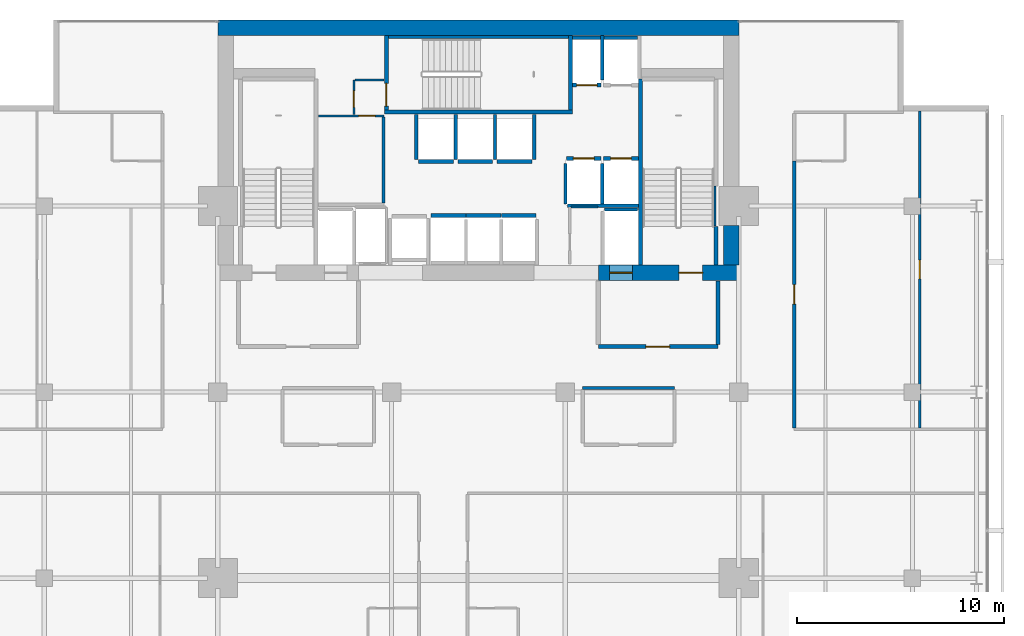
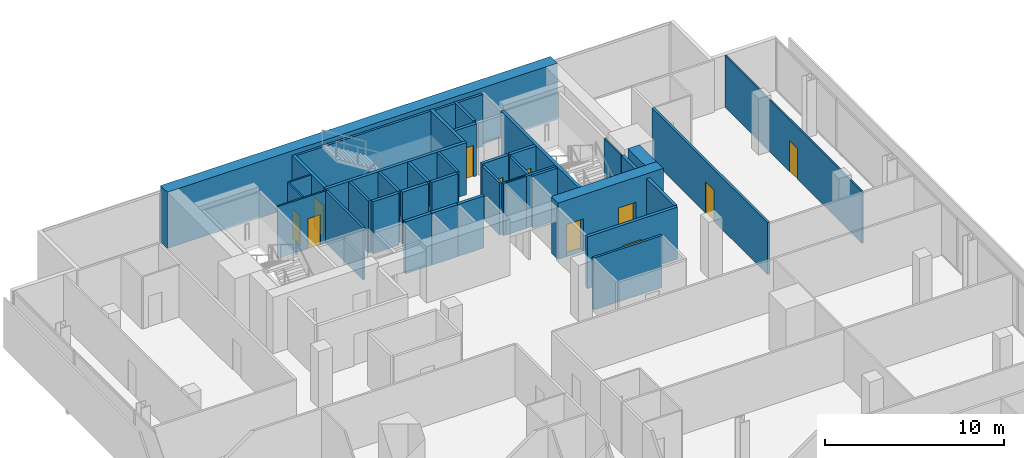
# One storey, part 29 of 32: 39 walls, 11 doors, 11 openings.
"""IFC4 building model written with IfcOpenShell, lengths in metres."""

from ifc_helpers import new_model, si_unit, direction, frame, frame_2d, origin, place, context, subcontext, project, spatial, rectangle, extrude, material, layer, layer_set, type_object, element, fill, save


model = new_model("IFC4")

# Units and contexts
model_context = context("Model", 3, precision=1e-05, world=origin(), true_north=direction((0.0, 1.0)))
body_context = subcontext(model_context, "Body", "Model", "MODEL_VIEW")
ifc_project = project(units=[si_unit("LENGTHUNIT", "METRE"), si_unit("AREAUNIT", "SQUARE_METRE"), si_unit("VOLUMEUNIT", "CUBIC_METRE"), si_unit("PLANEANGLEUNIT", "RADIAN"), si_unit("MASSUNIT", "GRAM", prefix="KILO")], contexts=[model_context])

# Site, building, storey
site_placement = place(None, origin())
site = spatial("IfcSite", under=ifc_project, at=site_placement, CompositionType="ELEMENT")
building_placement = place(site_placement, origin())
building = spatial("IfcBuilding", under=site, at=building_placement, Name="Maruvema Waterfront Hotel and Observation Tower", CompositionType="ELEMENT")
storey_placement = place(building_placement, frame((0.0, 0.0, 223.64990234375)))
storey = spatial("IfcBuildingStorey", under=building, at=storey_placement, Name="L55", CompositionType="ELEMENT", Elevation=223.64990234375)

# Walls
ifc_material_1 = material(Name="Twin-stud acoustic gypsum drywall", Category="gypsum")
ifc_layer_1 = layer(ifc_material_1, 0.14990234375, Name="Acoustic Corridor and Suite Demising Wall 150 mm")
ifc_layer_set_1 = layer_set([ifc_layer_1], Name="Twin-stud acoustic gypsum drywall")
wall_type_1 = type_object("IfcWallType", Name="Acoustic Corridor and Suite Demising Wall 150 mm", PredefinedType="PARTITIONING", material=ifc_layer_set_1)
wall_1_placement = place(storey_placement, frame((33.219970703125, 45.139892578125, 0.0), z_axis=(0.0, 0.0, 1.0), x_axis=(0.0, 1.0, 0.0)))
element("IfcWall", 1, at=wall_1_placement, inside=storey, type_object=wall_type_1, Name="L55 Freed B1 East Wall 013", PredefinedType="PARTITIONING", context=body_context, shape_type="SweptSolid", body=[
    extrude(rectangle(XDim=4.16015625, YDim=0.14990234375, at=frame_2d((2.080078125, 0.0))), origin(), (0.0, 0.0, 1.0), 3.550048828125),
])
wall_2_placement = place(storey_placement, frame((42.85009765625, 36.199951171875, 0.0), z_axis=(0.0, 0.0, 1.0), x_axis=(1.0, 0.0, 0.0)))
element("IfcWall", 2, at=wall_2_placement, inside=storey, type_object=wall_type_1, Name="L55 L55-M2 Back Wall 021", PredefinedType="PARTITIONING", context=body_context, shape_type="SweptSolid", body=[
    extrude(rectangle(XDim=4.429931640625, YDim=0.14990234375, at=frame_2d((2.21484375, 0.0))), origin(), (0.0, 0.0, 1.0), 3.550048828125),
])

# Wall, opening, door
wall_3_placement = place(storey_placement, frame((53.080078125, 34.260009765625, 0.0), z_axis=(0.0, 0.0, 1.0), x_axis=(0.0, 1.0, 0.0)))
wall_3 = element("IfcWall", 3, at=wall_3_placement, inside=storey, type_object=wall_type_1, Name="L55 Room L55-NE1 Corridor Wall 075", PredefinedType="PARTITIONING", context=body_context, shape_type="SweptSolid", body=[
    extrude(rectangle(XDim=12.927490234375, YDim=0.14990234375, at=frame_2d((6.4638671875, 0.0))), origin(), (0.0, 0.0, 1.0), 3.550048828125),
])
opening_1_placement = place(wall_3_placement, frame((5.98876953125, 0.0, 0.0)))
opening_1 = element("IfcOpeningElement", 4, at=opening_1_placement, cuts=wall_3, Name="Opening DR-095", PredefinedType="OPENING", context=body_context, shape_type="SweptSolid", body=[
    extrude(rectangle(XDim=0.949951171875, YDim=2.14990234375, at=frame_2d((0.47509765625, 1.074951171875))), frame((0.0, 0.0849609375, 0.0), z_axis=(0.0, -1.0, 0.0), x_axis=(1.0, 0.0, 0.0)), (0.0, 0.0, 1.0), 0.169921875),
])
ifc_material_2 = material(Name="Acoustic solid-core hardwood timber leaf", Category="wood")
door_type_1 = type_object("IfcDoorType", Name="Guestroom Entrance Fire Door 950x2150 mm", OperationType="NOTDEFINED", PredefinedType="DOOR", material=ifc_material_2)
door_1_placement = place(opening_1_placement, frame((0.949951171875, 0.0, 0.0), z_axis=(0.0, 0.0, 1.0), x_axis=(-1.0, 0.0, 0.0)))
door_1 = element("IfcDoor", 5, at=door_1_placement, inside=storey, type_object=door_type_1, Name="L55 Room L55-NE1 Entrance Door", OperationType="SINGLE_SWING_RIGHT", OverallHeight=2.14990234375, OverallWidth=0.949951171875, PredefinedType="DOOR", context=body_context, shape_type="SweptSolid", body=[
    extrude(rectangle(XDim=0.949951171875, YDim=2.14990234375, at=frame_2d((0.47509765625, 1.074951171875))), frame((0.0, 0.02490234375, 0.0), z_axis=(0.0, -1.0, 0.0), x_axis=(1.0, 0.0, 0.0)), (0.0, 0.0, 1.0), 0.050048828125),
])
fill(opening_1, door_1)

# Walls
ifc_material_3 = material(Name="Precast concrete C45/55", Category="concrete")
ifc_layer_2 = layer(ifc_material_3, 0.14990234375, Name="Core Shaft Furring Wall 150 mm")
ifc_layer_set_2 = layer_set([ifc_layer_2], Name="Precast concrete C45/55")
wall_type_2 = type_object("IfcWallType", Name="Core Shaft Furring Wall 150 mm", PredefinedType="SOLIDWALL", material=ifc_layer_set_2)
wall_4_placement = place(storey_placement, frame((33.449951171875, 53.175048828125, 0.0), z_axis=(0.0, 0.0, 1.0), x_axis=(1.0, 0.0, 0.0)))
element("IfcWall", 6, at=wall_4_placement, inside=storey, type_object=wall_type_2, Name="L55 Stairwell ST-02 North Furring Wall", PredefinedType="SOLIDWALL", context=body_context, shape_type="SweptSolid", body=[
    extrude(rectangle(XDim=8.699951171875, YDim=0.14990234375, at=frame_2d((4.35009765625, 0.0))), origin(), (0.0, 0.0, 1.0), 3.550048828125),
])
ifc_material_4 = material(Name="Precast concrete C45/55", Category="concrete")
ifc_layer_3 = layer(ifc_material_4, 0.199951171875, Name="Core Shaft and Stairwell Enclosure Wall 200 mm")
ifc_layer_set_3 = layer_set([ifc_layer_3], Name="Precast concrete C45/55")
wall_type_3 = type_object("IfcWallType", Name="Core Shaft and Stairwell Enclosure Wall 200 mm", PredefinedType="SOLIDWALL", material=ifc_layer_set_3)
wall_5_placement = place(storey_placement, frame((33.25, 49.550048828125, 0.0), z_axis=(0.0, 0.0, 1.0), x_axis=(1.0, 0.0, 0.0)))
element("IfcWall", 7, at=wall_5_placement, inside=storey, type_object=wall_type_3, Name="L55 Stairwell ST-02 Shaft Wall", PredefinedType="SOLIDWALL", context=body_context, shape_type="SweptSolid", body=[
    extrude(rectangle(XDim=9.10009765625, YDim=0.199951171875, at=frame_2d((4.550048828125, 0.0))), origin(), (0.0, 0.0, 1.0), 3.550048828125),
])
wall_6_placement = place(storey_placement, frame((42.25, 49.64990234375, 0.0), z_axis=(0.0, 0.0, 1.0), x_axis=(0.0, 1.0, 0.0)))
element("IfcWall", 8, at=wall_6_placement, inside=storey, type_object=wall_type_3, Name="L55 Stairwell ST-02 Shaft Wall", PredefinedType="SOLIDWALL", context=body_context, shape_type="SweptSolid", body=[
    extrude(rectangle(XDim=3.60009765625, YDim=0.199951171875, at=frame_2d((1.800048828125, 0.0))), origin(), (0.0, 0.0, 1.0), 3.550048828125),
])

# Wall, opening, door
wall_7_placement = place(storey_placement, frame((33.35009765625, 49.64990234375, 0.0), z_axis=(0.0, 0.0, 1.0), x_axis=(0.0, 1.0, 0.0)))
wall_7 = element("IfcWall", 9, at=wall_7_placement, inside=storey, type_object=wall_type_3, Name="L55 Stairwell ST-02 Shaft Wall", PredefinedType="SOLIDWALL", context=body_context, shape_type="SweptSolid", body=[
    extrude(rectangle(XDim=3.60009765625, YDim=0.199951171875, at=frame_2d((1.800048828125, 0.0))), origin(), (0.0, 0.0, 1.0), 3.550048828125),
])
opening_2_placement = place(wall_7_placement, frame((0.179931640625, 0.0, 0.0)))
opening_2 = element("IfcOpeningElement", 10, at=opening_2_placement, cuts=wall_7, Name="Opening SD-02", PredefinedType="OPENING", context=body_context, shape_type="SweptSolid", body=[
    extrude(rectangle(XDim=1.10009765625, YDim=2.14990234375, at=frame_2d((0.550048828125, 1.074951171875))), frame((0.0, 0.10986328125, 0.0), z_axis=(0.0, -1.0, 0.0), x_axis=(1.0, 0.0, 0.0)), (0.0, 0.0, 1.0), 0.219970703125),
])
ifc_material_5 = material(Name="Fire-rated galvanised steel leaf", Category="steel")
door_type_2 = type_object("IfcDoorType", Name="Central Exit Stair Fire Door 1100x2150 mm", OperationType="NOTDEFINED", PredefinedType="DOOR", material=ifc_material_5)
door_2_placement = place(opening_2_placement, frame((1.10009765625, 0.0, 0.0), z_axis=(0.0, 0.0, 1.0), x_axis=(-1.0, 0.0, 0.0)))
door_2 = element("IfcDoor", 11, at=door_2_placement, inside=storey, type_object=door_type_2, Name="L55 Exit Stair ST-02 Fire Door", OperationType="SINGLE_SWING_LEFT", OverallHeight=2.14990234375, OverallWidth=1.10009765625, PredefinedType="DOOR", context=body_context, shape_type="SweptSolid", body=[
    extrude(rectangle(XDim=1.10009765625, YDim=2.14990234375, at=frame_2d((0.550048828125, 1.074951171875))), frame((0.0, 0.02490234375, 0.0), z_axis=(0.0, -1.0, 0.0), x_axis=(1.0, 0.0, 0.0)), (0.0, 0.0, 1.0), 0.050048828125),
])
fill(opening_2, door_2)

# Walls
wall_8_placement = place(storey_placement, frame((45.64990234375, 42.14990234375, 0.0), z_axis=(0.0, 0.0, 1.0), x_axis=(0.0, 1.0, 0.0)))
element("IfcWall", 12, at=wall_8_placement, inside=storey, type_object=wall_type_3, Name="L55 Stairwell ST-03 West Shaft Wall", PredefinedType="SOLIDWALL", context=body_context, shape_type="SweptSolid", body=[
    extrude(rectangle(XDim=9.0, YDim=0.199951171875, at=frame_2d((4.5, 0.0))), origin(), (0.0, 0.0, 1.0), 3.550048828125),
])
wall_9_placement = place(storey_placement, frame((49.300048828125, 42.14990234375, 0.0), z_axis=(0.0, 0.0, 1.0), x_axis=(0.0, 1.0, 0.0)))
element("IfcWall", 13, at=wall_9_placement, inside=storey, type_object=wall_type_3, Name="L55 Stairwell ST-03 Shaft Lining Wall", PredefinedType="SOLIDWALL", context=body_context, shape_type="SweptSolid", body=[
    extrude(rectangle(XDim=1.8701171875, YDim=0.199951171875, at=frame_2d((0.93505859375, 0.0))), origin(), (0.0, 0.0, 1.0), 3.550048828125),
])

# Wall, opening, door
wall_10_placement = place(storey_placement, frame((42.06005859375, 47.300048828125, 0.0), z_axis=(0.0, 0.0, 1.0), x_axis=(1.0, 0.0, 0.0)))
wall_10 = element("IfcWall", 14, at=wall_10_placement, inside=storey, type_object=wall_type_3, Name="L55 Lift LF-05 Hoistway Front Wall", PredefinedType="SOLIDWALL", context=body_context, shape_type="SweptSolid", body=[
    extrude(rectangle(XDim=1.679931640625, YDim=0.199951171875, at=frame_2d((0.83984375, 0.0))), origin(), (0.0, 0.0, 1.0), 3.550048828125),
])
opening_3_placement = place(wall_10_placement, frame((0.340087890625, 0.0, 0.0)))
opening_3 = element("IfcOpeningElement", 15, at=opening_3_placement, cuts=wall_10, Name="Opening LD-01", PredefinedType="OPENING", context=body_context, shape_type="SweptSolid", body=[
    extrude(rectangle(XDim=1.0, YDim=2.14990234375, at=frame_2d((0.5, 1.074951171875))), frame((0.0, 0.10986328125, 0.0), z_axis=(0.0, -1.0, 0.0), x_axis=(1.0, 0.0, 0.0)), (0.0, 0.0, 1.0), 0.219970703125),
])
ifc_material_6 = material(Name="Brushed stainless steel Grade 316", Category="steel")
door_type_3 = type_object("IfcDoorType", Name="Passenger Lift Sliding Landing Door 1000x2150 mm", OperationType="SLIDING_TO_LEFT", PredefinedType="DOOR", material=ifc_material_6)
door_3_placement = place(opening_3_placement, origin())
door_3 = element("IfcDoor", 16, at=door_3_placement, inside=storey, type_object=door_type_3, Name="L55 Lift LF-05 Sliding Landing Door", OperationType="SLIDING_TO_LEFT", OverallHeight=2.14990234375, OverallWidth=1.0, PredefinedType="DOOR", context=body_context, shape_type="SweptSolid", body=[
    extrude(rectangle(XDim=1.0, YDim=2.14990234375, at=frame_2d((0.5, 1.074951171875))), frame((0.0, 0.02490234375, 0.0), z_axis=(0.0, -1.0, 0.0), x_axis=(1.0, 0.0, 0.0)), (0.0, 0.0, 1.0), 0.050048828125),
])
fill(opening_3, door_3)

wall_11_placement = place(storey_placement, frame((43.860107421875, 47.300048828125, 0.0), z_axis=(0.0, 0.0, 1.0), x_axis=(1.0, 0.0, 0.0)))
wall_11 = element("IfcWall", 17, at=wall_11_placement, inside=storey, type_object=wall_type_3, Name="L55 Lift LF-06 Hoistway Front Wall", PredefinedType="SOLIDWALL", context=body_context, shape_type="SweptSolid", body=[
    extrude(rectangle(XDim=1.679931640625, YDim=0.199951171875, at=frame_2d((0.83984375, 0.0))), origin(), (0.0, 0.0, 1.0), 3.550048828125),
])
opening_4_placement = place(wall_11_placement, frame((0.340087890625, 0.0, 0.0)))
opening_4 = element("IfcOpeningElement", 18, at=opening_4_placement, cuts=wall_11, Name="Opening LD-01", PredefinedType="OPENING", context=body_context, shape_type="SweptSolid", body=[
    extrude(rectangle(XDim=1.0, YDim=2.14990234375, at=frame_2d((0.5, 1.074951171875))), frame((0.0, 0.10986328125, 0.0), z_axis=(0.0, -1.0, 0.0), x_axis=(1.0, 0.0, 0.0)), (0.0, 0.0, 1.0), 0.219970703125),
])
door_4_placement = place(opening_4_placement, origin())
door_4 = element("IfcDoor", 19, at=door_4_placement, inside=storey, type_object=door_type_3, Name="L55 Lift LF-06 Sliding Landing Door", OperationType="SLIDING_TO_LEFT", OverallHeight=2.14990234375, OverallWidth=1.0, PredefinedType="DOOR", context=body_context, shape_type="SweptSolid", body=[
    extrude(rectangle(XDim=1.0, YDim=2.14990234375, at=frame_2d((0.5, 1.074951171875))), frame((0.0, 0.02490234375, 0.0), z_axis=(0.0, -1.0, 0.0), x_axis=(1.0, 0.0, 0.0)), (0.0, 0.0, 1.0), 0.050048828125),
])
fill(opening_4, door_4)

wall_12_placement = place(storey_placement, frame((42.360107421875, 50.85009765625, 0.0), z_axis=(0.0, 0.0, 1.0), x_axis=(1.0, 0.0, 0.0)))
wall_12 = element("IfcWall", 20, at=wall_12_placement, inside=storey, type_object=wall_type_3, Name="L55 Lift LF-07 Hoistway Front Wall", PredefinedType="SOLIDWALL", context=body_context, shape_type="SweptSolid", body=[
    extrude(rectangle(XDim=1.3798828125, YDim=0.199951171875, at=frame_2d((0.68994140625, 0.0))), origin(), (0.0, 0.0, 1.0), 3.550048828125),
])
opening_5_placement = place(wall_12_placement, frame((0.18994140625, 0.0, 0.0)))
opening_5 = element("IfcOpeningElement", 21, at=opening_5_placement, cuts=wall_12, Name="Opening LD-01", PredefinedType="OPENING", context=body_context, shape_type="SweptSolid", body=[
    extrude(rectangle(XDim=1.0, YDim=2.14990234375, at=frame_2d((0.5, 1.074951171875))), frame((0.0, 0.10986328125, 0.0), z_axis=(0.0, -1.0, 0.0), x_axis=(1.0, 0.0, 0.0)), (0.0, 0.0, 1.0), 0.219970703125),
])
door_5_placement = place(opening_5_placement, frame((1.0, 0.0, 0.0), z_axis=(0.0, 0.0, 1.0), x_axis=(-1.0, 0.0, 0.0)))
door_5 = element("IfcDoor", 22, at=door_5_placement, inside=storey, type_object=door_type_3, Name="L55 Lift LF-07 Sliding Landing Door", OperationType="SLIDING_TO_LEFT", OverallHeight=2.14990234375, OverallWidth=1.0, PredefinedType="DOOR", context=body_context, shape_type="SweptSolid", body=[
    extrude(rectangle(XDim=1.0, YDim=2.14990234375, at=frame_2d((0.5, 1.074951171875))), frame((0.0, 0.02490234375, 0.0), z_axis=(0.0, -1.0, 0.0), x_axis=(1.0, 0.0, 0.0)), (0.0, 0.0, 1.0), 0.050048828125),
])
fill(opening_5, door_5)

# Walls
for number, where, z_axis, x_axis, name in (
    (23, (35.510009765625, 44.550048828125, 0.0), (0.0, 0.0, 1.0), (1.0, 0.0, 0.0), "L55 Lift LF-09 Hoistway Front Wall"),
    (24, (37.2099609375, 44.550048828125, 0.0), (0.0, 0.0, 1.0), (1.0, 0.0, 0.0), "L55 Lift LF-10 Hoistway Front Wall"),
):
    element("IfcWall", number, at=place(storey_placement, frame(where, z_axis=z_axis, x_axis=x_axis)), inside=storey, type_object=wall_type_3, Name=name, PredefinedType="SOLIDWALL", context=body_context, shape_type="SweptSolid", body=[
        extrude(rectangle(XDim=1.679931640625, YDim=0.199951171875, at=frame_2d((0.83984375, 0.0))), origin(), (0.0, 0.0, 1.0), 3.550048828125),
    ])
for number, where, z_axis, x_axis, name in (
    (25, (38.909912109375, 44.550048828125, 0.0), (0.0, 0.0, 1.0), (1.0, 0.0, 0.0), "L55 Lift LF-11 Hoistway Front Wall"),
    (26, (34.909912109375, 47.14990234375, 0.0), (0.0, 0.0, 1.0), (1.0, 0.0, 0.0), "L55 Lift LF-12 Hoistway Front Wall"),
):
    element("IfcWall", number, at=place(storey_placement, frame(where, z_axis=z_axis, x_axis=x_axis)), inside=storey, type_object=wall_type_3, Name=name, PredefinedType="SOLIDWALL", context=body_context, shape_type="SweptSolid", body=[
        extrude(rectangle(XDim=1.68017578125, YDim=0.199951171875, at=frame_2d((0.840087890625, 0.0))), origin(), (0.0, 0.0, 1.0), 3.550048828125),
    ])
for number, where, z_axis, x_axis, name in (
    (27, (36.81005859375, 47.14990234375, 0.0), (0.0, 0.0, 1.0), (1.0, 0.0, 0.0), "L55 Lift LF-13 Hoistway Front Wall"),
    (28, (38.7099609375, 47.14990234375, 0.0), (0.0, 0.0, 1.0), (1.0, 0.0, 0.0), "L55 Lift LF-14 Hoistway Front Wall"),
):
    element("IfcWall", number, at=place(storey_placement, frame(where, z_axis=z_axis, x_axis=x_axis)), inside=storey, type_object=wall_type_3, Name=name, PredefinedType="SOLIDWALL", context=body_context, shape_type="SweptSolid", body=[
        extrude(rectangle(XDim=1.679931640625, YDim=0.199951171875, at=frame_2d((0.83984375, 0.0))), origin(), (0.0, 0.0, 1.0), 3.550048828125),
    ])
ifc_material_7 = material(Name="Concrete C70/85", Category="concrete")
ifc_layer_4 = layer(ifc_material_7, 0.75, Name="Core Shear Wall 750 mm")
ifc_layer_set_4 = layer_set([ifc_layer_4], Name="Concrete C70/85")
wall_type_4 = type_object("IfcWallType", Name="Core Shear Wall 750 mm", PredefinedType="SHEAR", material=ifc_layer_set_4)
wall_13_placement = place(storey_placement, frame((25.199951171875, 53.625, 0.0), z_axis=(0.0, 0.0, 1.0), x_axis=(1.0, 0.0, 0.0)))
element("IfcWall", 29, at=wall_13_placement, inside=storey, type_object=wall_type_4, Name="L55 North Core Shear Wall", PredefinedType="SHEAR", context=body_context, shape_type="SweptSolid", body=[
    extrude(rectangle(XDim=25.199951171875, YDim=0.75, at=frame_2d((12.60009765625, 0.0))), origin(), (0.0, 0.0, 1.0), 3.85009765625),
])

# Wall, openings, doors
wall_14_placement = place(storey_placement, frame((43.60009765625, 41.77490234375, 0.0), z_axis=(0.0, 0.0, 1.0), x_axis=(1.0, 0.0, 0.0)))
wall_14 = element("IfcWall", 30, at=wall_14_placement, inside=storey, type_object=wall_type_4, Name="L55 South-East Core Shear Wall", PredefinedType="SHEAR", context=body_context, shape_type="SweptSolid", body=[
    extrude(rectangle(XDim=6.7998046875, YDim=0.75, at=frame_2d((3.39990234375, 0.0))), origin(), (0.0, 0.0, 1.0), 3.85009765625),
])
opening_6_placement = place(wall_14_placement, frame((3.89990234375, 0.0, 0.0)))
opening_6 = element("IfcOpeningElement", 31, at=opening_6_placement, cuts=wall_14, Name="Opening SD-01", PredefinedType="OPENING", context=body_context, shape_type="SweptSolid", body=[
    extrude(rectangle(XDim=1.14990234375, YDim=2.14990234375, at=frame_2d((0.574951171875, 1.074951171875))), frame((0.0, 0.385009765625, 0.0), z_axis=(0.0, -1.0, 0.0), x_axis=(1.0, 0.0, 0.0)), (0.0, 0.0, 1.0), 0.77001953125),
])
opening_7_placement = place(wall_14_placement, frame((0.550048828125, 0.0, 0.0)))
opening_7 = element("IfcOpeningElement", 32, at=opening_7_placement, cuts=wall_14, Name="Opening LD-03", PredefinedType="OPENING", context=body_context, shape_type="SweptSolid", body=[
    extrude(rectangle(XDim=1.10009765625, YDim=2.199951171875, at=frame_2d((0.550048828125, 1.10009765625))), frame((0.0, 0.385009765625, 0.0), z_axis=(0.0, -1.0, 0.0), x_axis=(1.0, 0.0, 0.0)), (0.0, 0.0, 1.0), 0.77001953125),
])
ifc_material_8 = material(Name="Fire-rated galvanised steel leaf", Category="steel")
door_type_4 = type_object("IfcDoorType", Name="Exit Stair Fire Door 1150x2150 mm", OperationType="NOTDEFINED", PredefinedType="DOOR", material=ifc_material_8)
door_6_placement = place(opening_6_placement, origin())
door_6 = element("IfcDoor", 33, at=door_6_placement, inside=storey, type_object=door_type_4, Name="L55 Exit Stair ST-03 Fire Door", OperationType="SINGLE_SWING_RIGHT", OverallHeight=2.14990234375, OverallWidth=1.14990234375, PredefinedType="DOOR", context=body_context, shape_type="SweptSolid", body=[
    extrude(rectangle(XDim=1.14990234375, YDim=2.14990234375, at=frame_2d((0.574951171875, 1.074951171875))), frame((0.0, 0.02490234375, 0.0), z_axis=(0.0, -1.0, 0.0), x_axis=(1.0, 0.0, 0.0)), (0.0, 0.0, 1.0), 0.050048828125),
])
fill(opening_6, door_6)
ifc_material_9 = material(Name="Brushed stainless steel Grade 316", Category="steel")
door_type_5 = type_object("IfcDoorType", Name="Firefighting Lift Sliding Landing Door 1100x2200 mm", OperationType="SLIDING_TO_LEFT", PredefinedType="DOOR", material=ifc_material_9)
door_7_placement = place(opening_7_placement, frame((1.10009765625, 0.0, 0.0), z_axis=(0.0, 0.0, 1.0), x_axis=(-1.0, 0.0, 0.0)))
door_7 = element("IfcDoor", 34, at=door_7_placement, inside=storey, type_object=door_type_5, Name="L55 Firefighting Lift FL-02 Landing Door", OperationType="SLIDING_TO_LEFT", OverallHeight=2.199951171875, OverallWidth=1.10009765625, PredefinedType="DOOR", context=body_context, shape_type="SweptSolid", body=[
    extrude(rectangle(XDim=1.10009765625, YDim=2.199951171875, at=frame_2d((0.550048828125, 1.10009765625))), frame((0.0, 0.02490234375, 0.0), z_axis=(0.0, -1.0, 0.0), x_axis=(1.0, 0.0, 0.0)), (0.0, 0.0, 1.0), 0.050048828125),
])
fill(opening_7, door_7)

# Walls
wall_15_placement = place(storey_placement, frame((50.02490234375, 42.14990234375, 0.0), z_axis=(0.0, 0.0, 1.0), x_axis=(0.0, 1.0, 0.0)))
element("IfcWall", 35, at=wall_15_placement, inside=storey, type_object=wall_type_4, Name="L55 East-South Core Shear Wall", PredefinedType="SHEAR", context=body_context, shape_type="SweptSolid", body=[
    extrude(rectangle(XDim=1.900146484375, YDim=0.75, at=frame_2d((0.9501953125, 0.0))), origin(), (0.0, 0.0, 1.0), 3.85009765625),
])
ifc_material_10 = material(Name="Moisture-resistant cement-board drywall", Category="gypsum")
ifc_layer_5 = layer(ifc_material_10, 0.10009765625, Name="En-Suite Moisture-Resistant Partition 100 mm")
ifc_layer_set_5 = layer_set([ifc_layer_5], Name="Moisture-resistant cement-board drywall")
wall_type_5 = type_object("IfcWallType", Name="En-Suite Moisture-Resistant Partition 100 mm", PredefinedType="PARTITIONING", material=ifc_layer_set_5)
wall_16_placement = place(storey_placement, frame((42.280029296875, 44.9599609375, 0.0), z_axis=(0.0, 0.0, 1.0), x_axis=(1.0, 0.0, 0.0)))
element("IfcWall", 36, at=wall_16_placement, inside=storey, type_object=wall_type_5, Name="L55 Core Closet K1 North 011", PredefinedType="PARTITIONING", context=body_context, shape_type="SweptSolid", body=[
    extrude(rectangle(XDim=1.300048828125, YDim=0.10009765625, at=frame_2d((0.64990234375, 0.0))), origin(), (0.0, 0.0, 1.0), 3.550048828125),
])

# Wall, opening, door
wall_17_placement = place(storey_placement, frame((30.06005859375, 49.360107421875, 0.0), z_axis=(0.0, 0.0, 1.0), x_axis=(1.0, 0.0, 0.0)))
wall_17 = element("IfcWall", 37, at=wall_17_placement, inside=storey, type_object=wall_type_5, Name="L55 Freed B1 Mid Wall 014", PredefinedType="PARTITIONING", context=body_context, shape_type="SweptSolid", body=[
    extrude(rectangle(XDim=3.179931640625, YDim=0.10009765625, at=frame_2d((1.58984375, 0.0))), origin(), (0.0, 0.0, 1.0), 3.550048828125),
])
opening_8_placement = place(wall_17_placement, frame((1.949951171875, 0.0, 0.0)))
opening_8 = element("IfcOpeningElement", 38, at=opening_8_placement, cuts=wall_17, Name="Opening DR-080", PredefinedType="OPENING", context=body_context, shape_type="SweptSolid", body=[
    extrude(rectangle(XDim=0.800048828125, YDim=2.050048828125, at=frame_2d((0.39990234375, 1.02490234375))), frame((0.0, 0.06005859375, 0.0), z_axis=(0.0, -1.0, 0.0), x_axis=(1.0, 0.0, 0.0)), (0.0, 0.0, 1.0), 0.1201171875),
])
ifc_material_11 = material(Name="Powder-coated steel access leaf", Category="steel")
door_type_6 = type_object("IfcDoorType", Name="Riser and Service Cupboard Door 800x2050 mm", OperationType="NOTDEFINED", PredefinedType="DOOR", material=ifc_material_11)
door_8_placement = place(opening_8_placement, origin())
door_8 = element("IfcDoor", 39, at=door_8_placement, inside=storey, type_object=door_type_6, Name="L55 Housekeeping and Linen Room Door", OperationType="SINGLE_SWING_RIGHT", OverallHeight=2.050048828125, OverallWidth=0.800048828125, PredefinedType="DOOR", context=body_context, shape_type="SweptSolid", body=[
    extrude(rectangle(XDim=0.800048828125, YDim=2.050048828125, at=frame_2d((0.39990234375, 1.02490234375))), frame((0.0, 0.02490234375, 0.0), z_axis=(0.0, -1.0, 0.0), x_axis=(1.0, 0.0, 0.0)), (0.0, 0.0, 1.0), 0.050048828125),
])
fill(opening_8, door_8)

wall_18_placement = place(storey_placement, frame((31.780029296875, 49.419921875, 0.0), z_axis=(0.0, 0.0, 1.0), x_axis=(0.0, 1.0, 0.0)))
wall_18 = element("IfcWall", 40, at=wall_18_placement, inside=storey, type_object=wall_type_5, Name="L55 Freed B1 NW East Wall 015", PredefinedType="PARTITIONING", context=body_context, shape_type="SweptSolid", body=[
    extrude(rectangle(XDim=1.68017578125, YDim=0.10009765625, at=frame_2d((0.840087890625, 0.0))), origin(), (0.0, 0.0, 1.0), 3.550048828125),
])
opening_9_placement = place(wall_18_placement, frame((0.35009765625, 0.0, 0.0)))
opening_9 = element("IfcOpeningElement", 41, at=opening_9_placement, cuts=wall_18, Name="Opening DR-080", PredefinedType="OPENING", context=body_context, shape_type="SweptSolid", body=[
    extrude(rectangle(XDim=0.800048828125, YDim=2.050048828125, at=frame_2d((0.39990234375, 1.02490234375))), frame((0.0, 0.06005859375, 0.0), z_axis=(0.0, -1.0, 0.0), x_axis=(1.0, 0.0, 0.0)), (0.0, 0.0, 1.0), 0.1201171875),
])
door_9_placement = place(opening_9_placement, origin())
door_9 = element("IfcDoor", 42, at=door_9_placement, inside=storey, type_object=door_type_6, Name="L55 Guest Floor Pantry Door", OperationType="SINGLE_SWING_LEFT", OverallHeight=2.050048828125, OverallWidth=0.800048828125, PredefinedType="DOOR", context=body_context, shape_type="SweptSolid", body=[
    extrude(rectangle(XDim=0.800048828125, YDim=2.050048828125, at=frame_2d((0.39990234375, 1.02490234375))), frame((0.0, 0.02490234375, 0.0), z_axis=(0.0, -1.0, 0.0), x_axis=(1.0, 0.0, 0.0)), (0.0, 0.0, 1.0), 0.050048828125),
])
fill(opening_9, door_9)

# Wall
wall_19_placement = place(storey_placement, frame((31.820068359375, 51.10009765625, 0.0), z_axis=(0.0, 0.0, 1.0), x_axis=(1.0, 0.0, 0.0)))
element("IfcWall", 43, at=wall_19_placement, inside=storey, type_object=wall_type_5, Name="L55 Freed B1 Vestibule North Wall 016", PredefinedType="PARTITIONING", context=body_context, shape_type="SweptSolid", body=[
    extrude(rectangle(XDim=1.419921875, YDim=0.10009765625, at=frame_2d((0.7099609375, 0.0))), origin(), (0.0, 0.0, 1.0), 3.550048828125),
])

# Wall, opening, door
wall_20_placement = place(storey_placement, frame((59.154296875, 34.260009765625, 0.0), z_axis=(0.0, 0.0, 1.0), x_axis=(0.0, 1.0, 0.0)))
wall_20 = element("IfcWall", 44, at=wall_20_placement, inside=storey, type_object=wall_type_5, Name="L55 Suite L55-NE1 Split 079", PredefinedType="PARTITIONING", context=body_context, shape_type="SweptSolid", body=[
    extrude(rectangle(XDim=15.33740234375, YDim=0.10009765625, at=frame_2d((7.668701171875, 0.0))), origin(), (0.0, 0.0, 1.0), 3.550048828125),
])
opening_10_placement = place(wall_20_placement, frame((7.21875, 0.0, 0.0)))
opening_10 = element("IfcOpeningElement", 45, at=opening_10_placement, cuts=wall_20, Name="Opening DR-090", PredefinedType="OPENING", context=body_context, shape_type="SweptSolid", body=[
    extrude(rectangle(XDim=0.89990234375, YDim=2.10009765625, at=frame_2d((0.449951171875, 1.050048828125))), frame((0.0, 0.06005859375, 0.0), z_axis=(0.0, -1.0, 0.0), x_axis=(1.0, 0.0, 0.0)), (0.0, 0.0, 1.0), 0.1201171875),
])
ifc_material_12 = material(Name="Solid-core lacquered timber leaf", Category="wood")
door_type_7 = type_object("IfcDoorType", Name="Accessible Toilet and Room Door 900x2100 mm", OperationType="NOTDEFINED", PredefinedType="DOOR", material=ifc_material_12)
door_10_placement = place(opening_10_placement, frame((0.89990234375, 0.0, 0.0), z_axis=(0.0, 0.0, 1.0), x_axis=(-1.0, 0.0, 0.0)))
door_10 = element("IfcDoor", 46, at=door_10_placement, inside=storey, type_object=door_type_7, Name="L55 Suite L55-NE1 Bedroom Door", OperationType="SINGLE_SWING_LEFT", OverallHeight=2.10009765625, OverallWidth=0.89990234375, PredefinedType="DOOR", context=body_context, shape_type="SweptSolid", body=[
    extrude(rectangle(XDim=0.89990234375, YDim=2.10009765625, at=frame_2d((0.449951171875, 1.050048828125))), frame((0.0, 0.02490234375, 0.0), z_axis=(0.0, -1.0, 0.0), x_axis=(1.0, 0.0, 0.0)), (0.0, 0.0, 1.0), 0.050048828125),
])
fill(opening_10, door_10)

ifc_material_13 = material(Name="Autoclaved cellular concrete blockwork", Category="masonry")
ifc_layer_6 = layer(ifc_material_13, 0.199951171875, Name="Fire Compartment Masonry Wall 200 mm")
ifc_layer_set_6 = layer_set([ifc_layer_6], Name="Autoclaved cellular concrete blockwork")
wall_type_6 = type_object("IfcWallType", Name="Fire Compartment Masonry Wall 200 mm", PredefinedType="PARTITIONING", material=ifc_layer_set_6)
wall_21_placement = place(storey_placement, frame((43.60009765625, 38.199951171875, 0.0), z_axis=(0.0, 0.0, 1.0), x_axis=(1.0, 0.0, 0.0)))
wall_21 = element("IfcWall", 47, at=wall_21_placement, inside=storey, type_object=wall_type_6, Name="L55 FFL East South Wall 004", PredefinedType="PARTITIONING", context=body_context, shape_type="SweptSolid", body=[
    extrude(rectangle(XDim=5.7998046875, YDim=0.199951171875, at=frame_2d((2.89990234375, 0.0))), origin(), (0.0, 0.0, 1.0), 3.550048828125),
])
opening_11_placement = place(wall_21_placement, frame((2.300048828125, 0.0, 0.0)))
opening_11 = element("IfcOpeningElement", 48, at=opening_11_placement, cuts=wall_21, Name="Opening FD-115", PredefinedType="OPENING", context=body_context, shape_type="SweptSolid", body=[
    extrude(rectangle(XDim=1.14990234375, YDim=2.14990234375, at=frame_2d((0.574951171875, 1.074951171875))), frame((0.0, 0.10986328125, 0.0), z_axis=(0.0, -1.0, 0.0), x_axis=(1.0, 0.0, 0.0)), (0.0, 0.0, 1.0), 0.219970703125),
])
ifc_material_14 = material(Name="Fire-rated galvanised steel and vision glass", Category="steel")
door_type_8 = type_object("IfcDoorType", Name="Firefighting Lobby Fire Door 1150x2150 mm", OperationType="NOTDEFINED", PredefinedType="DOOR", material=ifc_material_14)
door_11_placement = place(opening_11_placement, frame((1.14990234375, 0.0, 0.0), z_axis=(0.0, 0.0, 1.0), x_axis=(-1.0, 0.0, 0.0)))
door_11 = element("IfcDoor", 49, at=door_11_placement, inside=storey, type_object=door_type_8, Name="L55 Firefighting Lobby East Door", OperationType="SINGLE_SWING_LEFT", OverallHeight=2.14990234375, OverallWidth=1.14990234375, PredefinedType="DOOR", context=body_context, shape_type="SweptSolid", body=[
    extrude(rectangle(XDim=1.14990234375, YDim=2.14990234375, at=frame_2d((0.574951171875, 1.074951171875))), frame((0.0, 0.02490234375, 0.0), z_axis=(0.0, -1.0, 0.0), x_axis=(1.0, 0.0, 0.0)), (0.0, 0.0, 1.0), 0.050048828125),
])
fill(opening_11, door_11)

# Walls
wall_22_placement = place(storey_placement, frame((49.39990234375, 38.31005859375, 0.0), z_axis=(0.0, 0.0, 1.0), x_axis=(0.0, 1.0, 0.0)))
element("IfcWall", 50, at=wall_22_placement, inside=storey, type_object=wall_type_6, Name="L55 FFL East East Wall 006", PredefinedType="PARTITIONING", context=body_context, shape_type="SweptSolid", body=[
    extrude(rectangle(XDim=3.06982421875, YDim=0.199951171875, at=frame_2d((1.534912109375, 0.0))), origin(), (0.0, 0.0, 1.0), 3.550048828125),
])
ifc_material_15 = material(Name="Precast concrete C45/55", Category="concrete")
ifc_layer_7 = layer(ifc_material_15, 0.159912109375, Name="Lift Hoistway Divider Wall 160 mm")
ifc_layer_set_7 = layer_set([ifc_layer_7], Name="Precast concrete C45/55")
wall_type_7 = type_object("IfcWallType", Name="Lift Hoistway Divider Wall 160 mm", PredefinedType="SOLIDWALL", material=ifc_layer_set_7)
wall_23_placement = place(storey_placement, frame((43.89990234375, 44.830078125, 0.0), z_axis=(0.0, 0.0, 1.0), x_axis=(1.0, 0.0, 0.0)))
element("IfcWall", 51, at=wall_23_placement, inside=storey, type_object=wall_type_7, Name="L55 Lift FL-02 Rear Hoistway Wall", PredefinedType="SOLIDWALL", context=body_context, shape_type="SweptSolid", body=[
    extrude(rectangle(XDim=1.60009765625, YDim=0.159912109375, at=frame_2d((0.800048828125, 0.0))), origin(), (0.0, 0.0, 1.0), 3.550048828125),
])
for number, where, z_axis, x_axis, name in (
    (52, (42.02001953125, 45.10009765625, 0.0), (0.0, 0.0, 1.0), (0.0, 1.0, 0.0), "L55 Hoistway Divider Wall"),
    (53, (43.800048828125, 45.10009765625, 0.0), (0.0, 0.0, 1.0), (0.0, 1.0, 0.0), "L55 Hoistway Divider Wall"),
):
    element("IfcWall", number, at=place(storey_placement, frame(where, z_axis=z_axis, x_axis=x_axis)), inside=storey, type_object=wall_type_7, Name=name, PredefinedType="SOLIDWALL", context=body_context, shape_type="SweptSolid", body=[
        extrude(rectangle(XDim=1.949951171875, YDim=0.159912109375, at=frame_2d((0.97509765625, 0.0))), origin(), (0.0, 0.0, 1.0), 3.550048828125),
    ])
wall_24_placement = place(storey_placement, frame((42.10009765625, 45.010009765625, 0.0), z_axis=(0.0, 0.0, 1.0), x_axis=(1.0, 0.0, 0.0)))
element("IfcWall", 54, at=wall_24_placement, inside=storey, type_object=wall_type_7, Name="L55 Hoistway Divider Wall", PredefinedType="SOLIDWALL", context=body_context, shape_type="SweptSolid", body=[
    extrude(rectangle(XDim=3.449951171875, YDim=0.159912109375, at=frame_2d((1.72509765625, 0.0))), origin(), (0.0, 0.0, 1.0), 3.550048828125),
])
wall_25_placement = place(storey_placement, frame((43.800048828125, 51.10009765625, 0.0), z_axis=(0.0, 0.0, 1.0), x_axis=(0.0, 1.0, 0.0)))
element("IfcWall", 55, at=wall_25_placement, inside=storey, type_object=wall_type_7, Name="L55 Hoistway Divider Wall", PredefinedType="SOLIDWALL", context=body_context, shape_type="SweptSolid", body=[
    extrude(rectangle(XDim=2.14990234375, YDim=0.159912109375, at=frame_2d((1.074951171875, 0.0))), origin(), (0.0, 0.0, 1.0), 3.550048828125),
])
wall_26_placement = place(storey_placement, frame((42.360107421875, 53.139892578125, 0.0), z_axis=(0.0, 0.0, 1.0), x_axis=(1.0, 0.0, 0.0)))
element("IfcWall", 56, at=wall_26_placement, inside=storey, type_object=wall_type_7, Name="L55 Hoistway Divider Wall", PredefinedType="SOLIDWALL", context=body_context, shape_type="SweptSolid", body=[
    extrude(rectangle(XDim=3.139892578125, YDim=0.159912109375, at=frame_2d((1.56982421875, 0.0))), origin(), (0.0, 0.0, 1.0), 3.550048828125),
])
for number, where, z_axis, x_axis, name in (
    (57, (34.800048828125, 47.25, 0.0), (0.0, 0.0, 1.0), (0.0, 1.0, 0.0), "L55 Hoistway Divider Wall"),
    (58, (36.699951171875, 47.25, 0.0), (0.0, 0.0, 1.0), (0.0, 1.0, 0.0), "L55 Hoistway Divider Wall"),
    (59, (38.60009765625, 47.25, 0.0), (0.0, 0.0, 1.0), (0.0, 1.0, 0.0), "L55 Hoistway Divider Wall"),
    (60, (40.5, 47.25, 0.0), (0.0, 0.0, 1.0), (0.0, 1.0, 0.0), "L55 Hoistway Divider Wall"),
):
    element("IfcWall", number, at=place(storey_placement, frame(where, z_axis=z_axis, x_axis=x_axis)), inside=storey, type_object=wall_type_7, Name=name, PredefinedType="SOLIDWALL", context=body_context, shape_type="SweptSolid", body=[
        extrude(rectangle(XDim=2.18994140625, YDim=0.159912109375, at=frame_2d((1.094970703125, 0.0))), origin(), (0.0, 0.0, 1.0), 3.550048828125),
    ])
ifc_material_16 = material(Name="Precast concrete C45/55", Category="concrete")
ifc_layer_8 = layer(ifc_material_16, 0.10009765625, Name="Stairwell Stringer Cheek Wall 100 mm")
ifc_layer_set_8 = layer_set([ifc_layer_8], Name="Precast concrete C45/55")
wall_type_8 = type_object("IfcWallType", Name="Stairwell Stringer Cheek Wall 100 mm", PredefinedType="SOLIDWALL", material=ifc_layer_set_8)
wall_27_placement = place(storey_placement, frame((49.248046875, 44.0400390625, 0.0), z_axis=(0.0, 0.0, 1.0), x_axis=(0.0, 1.0, 0.0)))
element("IfcWall", 61, at=wall_27_placement, inside=storey, type_object=wall_type_8, Name="L55 Stairwell ST-03 Mega-Column Cheek Wall", PredefinedType="SOLIDWALL", context=body_context, shape_type="SweptSolid", body=[
    extrude(rectangle(XDim=1.919921875, YDim=0.10009765625, at=frame_2d((0.9599609375, 0.0))), origin(), (0.0, 0.0, 1.0), 3.550048828125),
])

save(model, "model.ifc")
